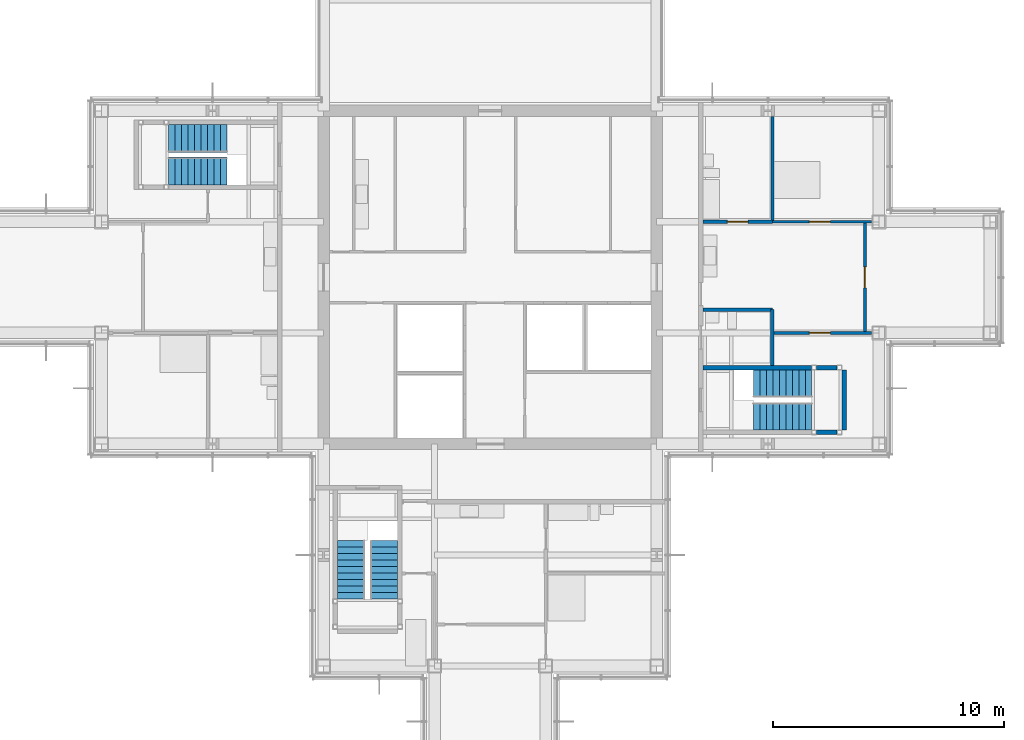
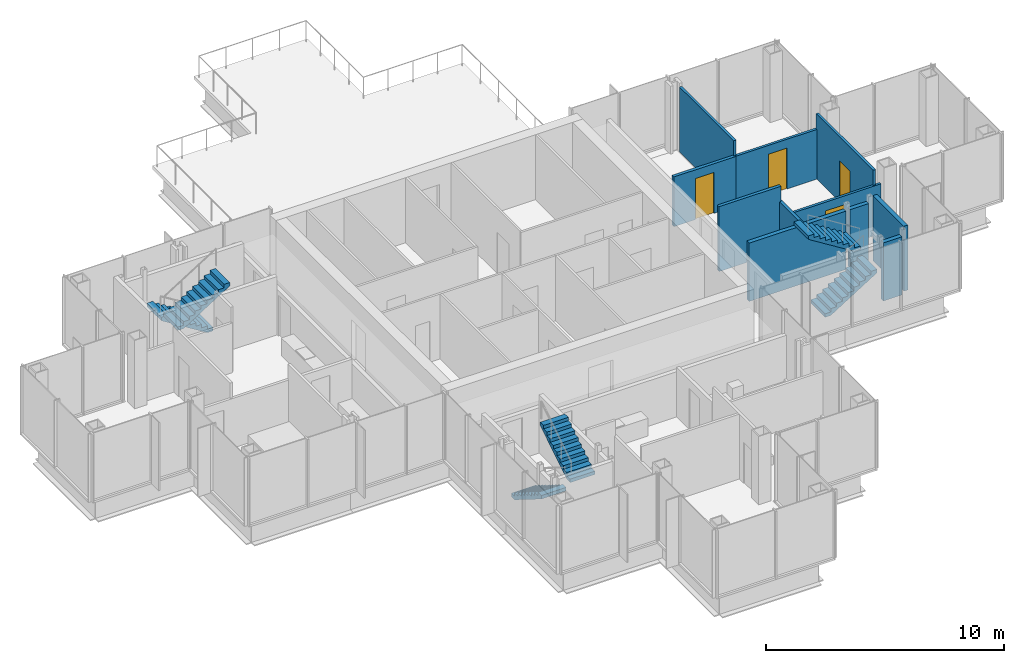
# One storey, part 11 of 14: 11 walls, 6 stair flights, 4 doors, 4 openings, 3 elements without a shape of their own.
"""IFC4 building model written with IfcOpenShell, lengths in metres."""

from ifc_helpers import new_model, si_unit, direction, frame, frame_2d, origin, place, context, subcontext, project, spatial, polyline, rectangle, outline, extrude, material, layer, layer_set, type_object, element, fill, aggregate, save


model = new_model("IFC4")

# Units and contexts
model_context = context("Model", 3, precision=1e-05, world=origin(), true_north=direction((0.0, 1.0)))
body_context = subcontext(model_context, "Body", "Model", "MODEL_VIEW")
ifc_project = project(units=[si_unit("LENGTHUNIT", "METRE"), si_unit("AREAUNIT", "SQUARE_METRE"), si_unit("VOLUMEUNIT", "CUBIC_METRE"), si_unit("PLANEANGLEUNIT", "RADIAN"), si_unit("MASSUNIT", "GRAM", prefix="KILO")], contexts=[model_context])

# Site, building, storey
site_placement = place(None, origin())
site = spatial("IfcSite", under=ifc_project, at=site_placement, CompositionType="ELEMENT")
building_placement = place(site_placement, origin())
building = spatial("IfcBuilding", under=site, at=building_placement, Name="Kvirike Care Tower", CompositionType="ELEMENT")
storey_placement = place(building_placement, frame((0.0, 0.0, 194.5)))
storey = spatial("IfcBuildingStorey", under=building, at=storey_placement, Name="L53", CompositionType="ELEMENT", Elevation=194.5)

# Walls
ifc_material_1 = material(Name="Moisture-resistant board partition", Category="gypsum")
ifc_layer_1 = layer(ifc_material_1, 0.14990234375)
ifc_layer_set_1 = layer_set([ifc_layer_1], Name="BATHROOM WALL 150")
wall_type_1 = type_object("IfcWallType", Name="BATHROOM WALL 150", PredefinedType="PARTITIONING", material=ifc_layer_set_1)
wall_1_placement = place(storey_placement, frame((33.800048828125, 32.199951171875, 0.0), z_axis=(0.0, 0.0, 1.0), x_axis=(0.0, 1.0, 0.0)))
element("IfcWall", 1, at=wall_1_placement, inside=storey, type_object=wall_type_1, Name="Bathroom Wall 150 L53", PredefinedType="PARTITIONING", context=body_context, shape_type="SweptSolid", body=[
    extrude(rectangle(XDim=2.400146484375, YDim=0.14990234375, at=frame_2d((1.2001953125, 0.0))), origin(), (0.0, 0.0, 1.0), 2.550048828125),
])
wall_2_placement = place(storey_placement, frame((33.800048828125, 34.60009765625, 0.0), z_axis=(0.0, 0.0, 1.0), x_axis=(-1.0, 0.0, 0.0)))
element("IfcWall", 2, at=wall_2_placement, inside=storey, type_object=wall_type_1, Name="Bathroom Wall 150 L53", PredefinedType="PARTITIONING", context=body_context, shape_type="SweptSolid", body=[
    extrude(rectangle(XDim=3.0, YDim=0.14990234375, at=frame_2d((1.5, 0.0))), origin(), (0.0, 0.0, 1.0), 3.330078125),
])

# Wall, opening, door
wall_3_placement = place(storey_placement, frame((33.800048828125, 38.39990234375, 0.0), z_axis=(0.0, 0.0, 1.0), x_axis=(-1.0, 0.0, 0.0)))
wall_3 = element("IfcWall", 3, at=wall_3_placement, inside=storey, type_object=wall_type_1, Name="Bathroom Wall 150 L53", PredefinedType="PARTITIONING", context=body_context, shape_type="SweptSolid", body=[
    extrude(rectangle(XDim=3.0, YDim=0.14990234375, at=frame_2d((1.5, 0.0))), origin(), (0.0, 0.0, 1.0), 2.550048828125),
])
opening_1_placement = place(wall_3_placement, frame((1.050048828125, 0.0, 0.0)))
opening_1 = element("IfcOpeningElement", 4, at=opening_1_placement, cuts=wall_3, Name="Opening 53-013", PredefinedType="OPENING", context=body_context, shape_type="SweptSolid", body=[
    extrude(rectangle(XDim=0.89990234375, YDim=2.10009765625, at=frame_2d((0.449951171875, 1.050048828125))), frame((0.0, 0.08544921875, 0.0), z_axis=(0.0, -1.0, 0.0), x_axis=(1.0, 0.0, 0.0)), (0.0, 0.0, 1.0), 0.1708984375),
])
ifc_material_2 = material(Name="Timber door set", Category="wood")
door_type_1 = type_object("IfcDoorType", Name="BATHROOM DOOR 900", OperationType="SINGLE_SWING_RIGHT", PredefinedType="DOOR", material=ifc_material_2)
door_1_placement = place(opening_1_placement, frame((0.89990234375, 0.0, 0.0), z_axis=(0.0, 0.0, 1.0), x_axis=(-1.0, 0.0, 0.0)))
door_1 = element("IfcDoor", 5, at=door_1_placement, inside=storey, type_object=door_type_1, Name="Bathroom door", OperationType="SINGLE_SWING_LEFT", OverallHeight=2.10009765625, OverallWidth=0.89990234375, PredefinedType="DOOR", context=body_context, shape_type="SweptSolid", body=[
    extrude(rectangle(XDim=0.89990234375, YDim=2.10009765625, at=frame_2d((0.449951171875, 1.050048828125))), frame((0.0, 0.02197265625, 0.0), z_axis=(0.0, -1.0, 0.0), x_axis=(1.0, 0.0, 0.0)), (0.0, 0.0, 1.0), 0.0439453125),
])
fill(opening_1, door_1)

ifc_material_3 = material(Name="Plasterboard partition", Category="gypsum")
ifc_layer_2 = layer(ifc_material_3, 0.1201171875)
ifc_layer_set_2 = layer_set([ifc_layer_2], Name="PARTITION 120")
wall_type_2 = type_object("IfcWallType", Name="PARTITION 120", PredefinedType="PARTITIONING", material=ifc_layer_set_2)
wall_4_placement = place(storey_placement, frame((37.800048828125, 33.60009765625, 0.0), z_axis=(0.0, 0.0, 1.0), x_axis=(0.0, 1.0, 0.0)))
wall_4 = element("IfcWall", 6, at=wall_4_placement, inside=storey, type_object=wall_type_2, Name="Partition 120 L53", PredefinedType="PARTITIONING", context=body_context, shape_type="SweptSolid", body=[
    extrude(rectangle(XDim=4.7998046875, YDim=0.1201171875, at=frame_2d((2.39990234375, 0.0))), origin(), (0.0, 0.0, 1.0), 3.330078125),
])
opening_2_placement = place(wall_4_placement, frame((1.949951171875, 0.0, 0.0)))
opening_2 = element("IfcOpeningElement", 7, at=opening_2_placement, cuts=wall_4, Name="Opening 53-014", PredefinedType="OPENING", context=body_context, shape_type="SweptSolid", body=[
    extrude(rectangle(XDim=0.89990234375, YDim=2.10009765625, at=frame_2d((0.449951171875, 1.050048828125))), frame((0.0, 0.070556640625, 0.0), z_axis=(0.0, -1.0, 0.0), x_axis=(1.0, 0.0, 0.0)), (0.0, 0.0, 1.0), 0.14111328125),
])
ifc_material_4 = material(Name="Timber door set", Category="wood")
door_type_2 = type_object("IfcDoorType", Name="INTERNAL DOOR 900", OperationType="SINGLE_SWING_LEFT", PredefinedType="DOOR", material=ifc_material_4)
door_2_placement = place(opening_2_placement, frame((0.89990234375, 0.0, 0.0), z_axis=(0.0, 0.0, 1.0), x_axis=(-1.0, 0.0, 0.0)))
door_2 = element("IfcDoor", 8, at=door_2_placement, inside=storey, type_object=door_type_2, Name="Apartment living room door", OperationType="SINGLE_SWING_RIGHT", OverallHeight=2.10009765625, OverallWidth=0.89990234375, PredefinedType="DOOR", context=body_context, shape_type="SweptSolid", body=[
    extrude(rectangle(XDim=0.89990234375, YDim=2.10009765625, at=frame_2d((0.449951171875, 1.050048828125))), frame((0.0, 0.02197265625, 0.0), z_axis=(0.0, -1.0, 0.0), x_axis=(1.0, 0.0, 0.0)), (0.0, 0.0, 1.0), 0.0439453125),
])
fill(opening_2, door_2)

# Wall
wall_5_placement = place(storey_placement, frame((33.800048828125, 38.39990234375, 0.0), z_axis=(0.0, 0.0, 1.0), x_axis=(0.0, 1.0, 0.0)))
element("IfcWall", 9, at=wall_5_placement, inside=storey, type_object=wall_type_2, Name="Partition 120 L53", PredefinedType="PARTITIONING", context=body_context, shape_type="SweptSolid", body=[
    extrude(rectangle(XDim=4.552978515625, YDim=0.1201171875, at=frame_2d((2.2763671875, 0.0))), origin(), (0.0, 0.0, 1.0), 3.330078125),
])

# Wall, opening, door
wall_6_placement = place(storey_placement, frame((38.080078125, 33.60009765625, 0.0), z_axis=(0.0, 0.0, 1.0), x_axis=(-1.0, 0.0, 0.0)))
wall_6 = element("IfcWall", 10, at=wall_6_placement, inside=storey, type_object=wall_type_2, Name="Partition 120 L53", PredefinedType="PARTITIONING", context=body_context, shape_type="SweptSolid", body=[
    extrude(rectangle(XDim=4.280029296875, YDim=0.1201171875, at=frame_2d((2.14013671875, 0.0))), origin(), (0.0, 0.0, 1.0), 2.550048828125),
])
opening_3_placement = place(wall_6_placement, frame((1.780029296875, 0.0, 0.0)))
opening_3 = element("IfcOpeningElement", 11, at=opening_3_placement, cuts=wall_6, Name="Opening 53-015", PredefinedType="OPENING", context=body_context, shape_type="SweptSolid", body=[
    extrude(rectangle(XDim=0.89990234375, YDim=2.10009765625, at=frame_2d((0.449951171875, 1.050048828125))), frame((0.0, 0.070556640625, 0.0), z_axis=(0.0, -1.0, 0.0), x_axis=(1.0, 0.0, 0.0)), (0.0, 0.0, 1.0), 0.14111328125),
])
door_3_placement = place(opening_3_placement, origin())
door_3 = element("IfcDoor", 12, at=door_3_placement, inside=storey, type_object=door_type_2, Name="Connecting door", OperationType="SINGLE_SWING_LEFT", OverallHeight=2.10009765625, OverallWidth=0.89990234375, PredefinedType="DOOR", context=body_context, shape_type="SweptSolid", body=[
    extrude(rectangle(XDim=0.89990234375, YDim=2.10009765625, at=frame_2d((0.449951171875, 1.050048828125))), frame((0.0, 0.02197265625, 0.0), z_axis=(0.0, -1.0, 0.0), x_axis=(1.0, 0.0, 0.0)), (0.0, 0.0, 1.0), 0.0439453125),
])
fill(opening_3, door_3)

wall_7_placement = place(storey_placement, frame((38.080078125, 38.39990234375, 0.0), z_axis=(0.0, 0.0, 1.0), x_axis=(-1.0, 0.0, 0.0)))
wall_7 = element("IfcWall", 13, at=wall_7_placement, inside=storey, type_object=wall_type_2, Name="Partition 120 L53", PredefinedType="PARTITIONING", context=body_context, shape_type="SweptSolid", body=[
    extrude(rectangle(XDim=4.280029296875, YDim=0.1201171875, at=frame_2d((2.14013671875, 0.0))), origin(), (0.0, 0.0, 1.0), 2.550048828125),
])
opening_4_placement = place(wall_7_placement, frame((1.780029296875, 0.0, 0.0)))
opening_4 = element("IfcOpeningElement", 14, at=opening_4_placement, cuts=wall_7, Name="Opening 53-016", PredefinedType="OPENING", context=body_context, shape_type="SweptSolid", body=[
    extrude(rectangle(XDim=0.89990234375, YDim=2.10009765625, at=frame_2d((0.449951171875, 1.050048828125))), frame((0.0, 0.070556640625, 0.0), z_axis=(0.0, -1.0, 0.0), x_axis=(1.0, 0.0, 0.0)), (0.0, 0.0, 1.0), 0.14111328125),
])
door_4_placement = place(opening_4_placement, frame((0.89990234375, 0.0, 0.0), z_axis=(0.0, 0.0, 1.0), x_axis=(-1.0, 0.0, 0.0)))
door_4 = element("IfcDoor", 15, at=door_4_placement, inside=storey, type_object=door_type_2, Name="Connecting door", OperationType="SINGLE_SWING_RIGHT", OverallHeight=2.10009765625, OverallWidth=0.89990234375, PredefinedType="DOOR", context=body_context, shape_type="SweptSolid", body=[
    extrude(rectangle(XDim=0.89990234375, YDim=2.10009765625, at=frame_2d((0.449951171875, 1.050048828125))), frame((0.0, 0.02197265625, 0.0), z_axis=(0.0, -1.0, 0.0), x_axis=(1.0, 0.0, 0.0)), (0.0, 0.0, 1.0), 0.0439453125),
])
fill(opening_4, door_4)

# Walls
ifc_material_5 = material(Name="Concrete C40/50", Category="concrete")
ifc_layer_3 = layer(ifc_material_5, 0.199951171875)
ifc_layer_set_3 = layer_set([ifc_layer_3], Name="STAIR WALL 200")
wall_type_3 = type_object("IfcWallType", Name="STAIR WALL 200", PredefinedType="SOLIDWALL", material=ifc_layer_set_3)
for number, where, z_axis, x_axis, name in (
    (16, (36.60009765625, 29.300048828125, 0.0), (0.0, 0.0, 1.0), (-1.0, 0.0, 0.0), "Stair Wall 200 L53"),
    (17, (36.60009765625, 32.10009765625, 0.0), (0.0, 0.0, 1.0), (-1.0, 0.0, 0.0), "Stair Wall 200 L53"),
):
    element("IfcWall", number, at=place(storey_placement, frame(where, z_axis=z_axis, x_axis=x_axis)), inside=storey, type_object=wall_type_3, Name=name, PredefinedType="SOLIDWALL", context=body_context, shape_type="SweptSolid", body=[
        extrude(rectangle(XDim=0.900146484375, YDim=0.199951171875, at=frame_2d((0.4501953125, 0.0))), origin(), (0.0, 0.0, 1.0), 2.989990234375),
    ])
wall_8_placement = place(storey_placement, frame((35.5, 32.10009765625, 0.0), z_axis=(0.0, 0.0, 1.0), x_axis=(-1.0, 0.0, 0.0)))
element("IfcWall", 18, at=wall_8_placement, inside=storey, type_object=wall_type_3, Name="Stair Wall 200 L53", PredefinedType="SOLIDWALL", context=body_context, shape_type="SweptSolid", body=[
    extrude(rectangle(XDim=4.699951171875, YDim=0.199951171875, at=frame_2d((2.35009765625, 0.0))), origin(), (0.0, 0.0, 1.0), 2.989990234375),
])
wall_9_placement = place(storey_placement, frame((36.89990234375, 29.39990234375, 0.0), z_axis=(0.0, 0.0, 1.0), x_axis=(0.0, 1.0, 0.0)))
element("IfcWall", 19, at=wall_9_placement, inside=storey, type_object=wall_type_3, Name="Stair Wall 200 L53", PredefinedType="SOLIDWALL", context=body_context, shape_type="SweptSolid", body=[
    extrude(rectangle(XDim=2.60009765625, YDim=0.199951171875, at=frame_2d((1.300048828125, 0.0))), origin(), (0.0, 0.0, 1.0), 3.330078125),
])

# Stair, stair flights
ifc_material_6 = material(Name="Concrete C35/45", Category="concrete")
stair_type = type_object("IfcStairType", Name="STAIR 20 RISERS", PredefinedType="HALF_TURN_STAIR", material=ifc_material_6)
stair_1_placement = place(storey_placement, origin())
stair_1 = element("IfcStair", 20, at=stair_1_placement, inside=storey, type_object=stair_type, Name="Stair 1 L53", PredefinedType="HALF_TURN_STAIR")
ifc_material_7 = material(Name="Concrete C35/45", Category="concrete")
stair_flight_type = type_object("IfcStairFlightType", Name="FLIGHT 10 RISERS", PredefinedType="STRAIGHT", material=ifc_material_7)
stair_flight_1_placement = place(storey_placement, frame((10.219970703125, 42.0, 0.0), z_axis=(0.0, 0.0, 1.0), x_axis=(-1.0, 0.0, 0.0)))
stair_flight_1 = element("IfcStairFlight", 21, at=stair_flight_1_placement, type_object=stair_flight_type, Name="Stair S1 flight 1 L53-L54", NumberOfRisers=10, NumberOfTreads=9, PredefinedType="STRAIGHT", RiserHeight=0.175, TreadLength=0.28, context=body_context, shape_type="SweptSolid", body=[
    extrude(outline(polyline([(0.0, 0.0), (0.0, 0.175048828125), (0.280029296875, 0.175048828125), (0.280029296875, 0.35009765625), (0.56005859375, 0.35009765625), (0.56005859375, 0.52490234375), (0.840087890625, 0.52490234375), (0.840087890625, 0.699951171875), (1.1201171875, 0.699951171875), (1.1201171875, 0.875), (1.39990234375, 0.875), (1.39990234375, 1.050048828125), (1.679931640625, 1.050048828125), (1.679931640625, 1.22509765625), (1.9599609375, 1.22509765625), (1.9599609375, 1.39990234375), (2.239990234375, 1.39990234375), (2.239990234375, 1.574951171875), (2.52001953125, 1.574951171875), (2.52001953125, 1.75), (2.52001953125, 1.398193359375), (0.28271484375, 0.0), (0.0, 0.0)])), frame((0.0, 0.60009765625, 0.0), z_axis=(0.0, -1.0, 0.0), x_axis=(1.0, 0.0, 0.0)), (0.0, 0.0, 1.0), 1.199951171875),
])
stair_flight_2_placement = place(storey_placement, frame((7.699951171875, 40.60009765625, 1.75), z_axis=(0.0, 0.0, 1.0), x_axis=(1.0, 0.0, 0.0)))
stair_flight_2 = element("IfcStairFlight", 22, at=stair_flight_2_placement, type_object=stair_flight_type, Name="Stair S1 flight 2 L53-L54", NumberOfRisers=10, NumberOfTreads=9, PredefinedType="STRAIGHT", RiserHeight=0.175, TreadLength=0.28, context=body_context, shape_type="SweptSolid", body=[
    extrude(outline(polyline([(0.0, 0.0), (0.0, 0.175048828125), (0.280029296875, 0.175048828125), (0.280029296875, 0.35009765625), (0.56005859375, 0.35009765625), (0.56005859375, 0.52490234375), (0.840087890625, 0.52490234375), (0.840087890625, 0.699951171875), (1.1201171875, 0.699951171875), (1.1201171875, 0.875), (1.39990234375, 0.875), (1.39990234375, 1.050048828125), (1.679931640625, 1.050048828125), (1.679931640625, 1.22509765625), (1.9599609375, 1.22509765625), (1.9599609375, 1.39990234375), (2.239990234375, 1.39990234375), (2.239990234375, 1.574951171875), (2.52001953125, 1.574951171875), (2.52001953125, 1.75), (2.52001953125, 1.398193359375), (0.28271484375, 0.0), (0.0, 0.0)])), frame((0.0, 0.60009765625, 0.0), z_axis=(0.0, -1.0, 0.0), x_axis=(1.0, 0.0, 0.0)), (0.0, 0.0, 1.0), 1.199951171875),
])
aggregate(stair_1, [stair_flight_1, stair_flight_2])

stair_2_placement = place(storey_placement, origin())
stair_2 = element("IfcStair", 23, at=stair_2_placement, inside=storey, type_object=stair_type, Name="Stair 2 L53", PredefinedType="HALF_TURN_STAIR")
stair_flight_3_placement = place(storey_placement, frame((32.97998046875, 30.0, 0.0), z_axis=(0.0, 0.0, 1.0), x_axis=(1.0, 0.0, 0.0)))
stair_flight_3 = element("IfcStairFlight", 24, at=stair_flight_3_placement, type_object=stair_flight_type, Name="Stair S2 flight 1 L53-L54", NumberOfRisers=10, NumberOfTreads=9, PredefinedType="STRAIGHT", RiserHeight=0.175, TreadLength=0.28, context=body_context, shape_type="SweptSolid", body=[
    extrude(outline(polyline([(0.0, 0.0), (0.0, 0.175048828125), (0.280029296875, 0.175048828125), (0.280029296875, 0.35009765625), (0.56005859375, 0.35009765625), (0.56005859375, 0.52490234375), (0.840087890625, 0.52490234375), (0.840087890625, 0.699951171875), (1.1201171875, 0.699951171875), (1.1201171875, 0.875), (1.39990234375, 0.875), (1.39990234375, 1.050048828125), (1.679931640625, 1.050048828125), (1.679931640625, 1.22509765625), (1.9599609375, 1.22509765625), (1.9599609375, 1.39990234375), (2.239990234375, 1.39990234375), (2.239990234375, 1.574951171875), (2.52001953125, 1.574951171875), (2.52001953125, 1.75), (2.52001953125, 1.398193359375), (0.28271484375, 0.0), (0.0, 0.0)])), frame((0.0, 0.60009765625, 0.0), z_axis=(0.0, -1.0, 0.0), x_axis=(1.0, 0.0, 0.0)), (0.0, 0.0, 1.0), 1.199951171875),
])
stair_flight_4_placement = place(storey_placement, frame((35.5, 31.39990234375, 1.75), z_axis=(0.0, 0.0, 1.0), x_axis=(-1.0, 0.0, 0.0)))
stair_flight_4 = element("IfcStairFlight", 25, at=stair_flight_4_placement, type_object=stair_flight_type, Name="Stair S2 flight 2 L53-L54", NumberOfRisers=10, NumberOfTreads=9, PredefinedType="STRAIGHT", RiserHeight=0.175, TreadLength=0.28, context=body_context, shape_type="SweptSolid", body=[
    extrude(outline(polyline([(0.0, 0.0), (0.0, 0.175048828125), (0.280029296875, 0.175048828125), (0.280029296875, 0.35009765625), (0.56005859375, 0.35009765625), (0.56005859375, 0.52490234375), (0.840087890625, 0.52490234375), (0.840087890625, 0.699951171875), (1.1201171875, 0.699951171875), (1.1201171875, 0.875), (1.39990234375, 0.875), (1.39990234375, 1.050048828125), (1.679931640625, 1.050048828125), (1.679931640625, 1.22509765625), (1.9599609375, 1.22509765625), (1.9599609375, 1.39990234375), (2.239990234375, 1.39990234375), (2.239990234375, 1.574951171875), (2.52001953125, 1.574951171875), (2.52001953125, 1.75), (2.52001953125, 1.398193359375), (0.28271484375, 0.0), (0.0, 0.0)])), frame((0.0, 0.60009765625, 0.0), z_axis=(0.0, -1.0, 0.0), x_axis=(1.0, 0.0, 0.0)), (0.0, 0.0, 1.0), 1.199951171875),
])
aggregate(stair_2, [stair_flight_3, stair_flight_4])

stair_3_placement = place(storey_placement, origin())
stair_3 = element("IfcStair", 26, at=stair_3_placement, inside=storey, type_object=stair_type, Name="Stair 5 L53", PredefinedType="HALF_TURN_STAIR")
stair_flight_5_placement = place(storey_placement, frame((15.60009765625, 24.6201171875, 0.0), z_axis=(0.0, 0.0, 1.0), x_axis=(0.0, -1.0, 0.0)))
stair_flight_5 = element("IfcStairFlight", 27, at=stair_flight_5_placement, type_object=stair_flight_type, Name="Stair S5 flight 1 L53-L54", NumberOfRisers=10, NumberOfTreads=9, PredefinedType="STRAIGHT", RiserHeight=0.175, TreadLength=0.28, context=body_context, shape_type="SweptSolid", body=[
    extrude(outline(polyline([(0.0, 0.0), (0.0, 0.175048828125), (0.280029296875, 0.175048828125), (0.280029296875, 0.35009765625), (0.56005859375, 0.35009765625), (0.56005859375, 0.52490234375), (0.840087890625, 0.52490234375), (0.840087890625, 0.699951171875), (1.1201171875, 0.699951171875), (1.1201171875, 0.875), (1.39990234375, 0.875), (1.39990234375, 1.050048828125), (1.679931640625, 1.050048828125), (1.679931640625, 1.22509765625), (1.9599609375, 1.22509765625), (1.9599609375, 1.39990234375), (2.239990234375, 1.39990234375), (2.239990234375, 1.574951171875), (2.52001953125, 1.574951171875), (2.52001953125, 1.75), (2.52001953125, 1.398193359375), (0.28271484375, 0.0), (0.0, 0.0)])), frame((0.0, 0.60009765625, 0.0), z_axis=(0.0, -1.0, 0.0), x_axis=(1.0, 0.0, 0.0)), (0.0, 0.0, 1.0), 1.199951171875),
])
stair_flight_6_placement = place(storey_placement, frame((17.0, 22.10009765625, 1.75), z_axis=(0.0, 0.0, 1.0), x_axis=(0.0, 1.0, 0.0)))
stair_flight_6 = element("IfcStairFlight", 28, at=stair_flight_6_placement, type_object=stair_flight_type, Name="Stair S5 flight 2 L53-L54", NumberOfRisers=10, NumberOfTreads=9, PredefinedType="STRAIGHT", RiserHeight=0.175, TreadLength=0.28, context=body_context, shape_type="SweptSolid", body=[
    extrude(outline(polyline([(0.0, 0.0), (0.0, 0.175048828125), (0.280029296875, 0.175048828125), (0.280029296875, 0.35009765625), (0.56005859375, 0.35009765625), (0.56005859375, 0.52490234375), (0.840087890625, 0.52490234375), (0.840087890625, 0.699951171875), (1.1201171875, 0.699951171875), (1.1201171875, 0.875), (1.39990234375, 0.875), (1.39990234375, 1.050048828125), (1.679931640625, 1.050048828125), (1.679931640625, 1.22509765625), (1.9599609375, 1.22509765625), (1.9599609375, 1.39990234375), (2.239990234375, 1.39990234375), (2.239990234375, 1.574951171875), (2.52001953125, 1.574951171875), (2.52001953125, 1.75), (2.52001953125, 1.398193359375), (0.28271484375, 0.0), (0.0, 0.0)])), frame((0.0, 0.60009765625, 0.0), z_axis=(0.0, -1.0, 0.0), x_axis=(1.0, 0.0, 0.0)), (0.0, 0.0, 1.0), 1.199951171875),
])
aggregate(stair_3, [stair_flight_5, stair_flight_6])

save(model, "model.ifc")
